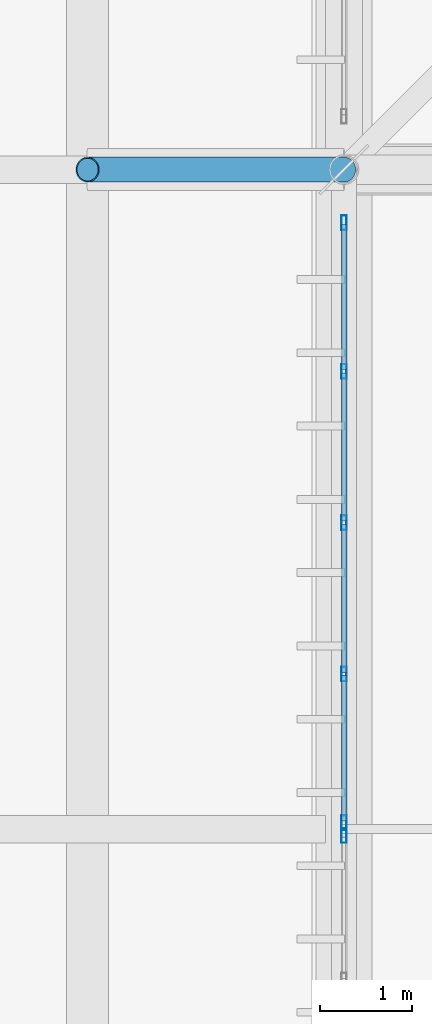
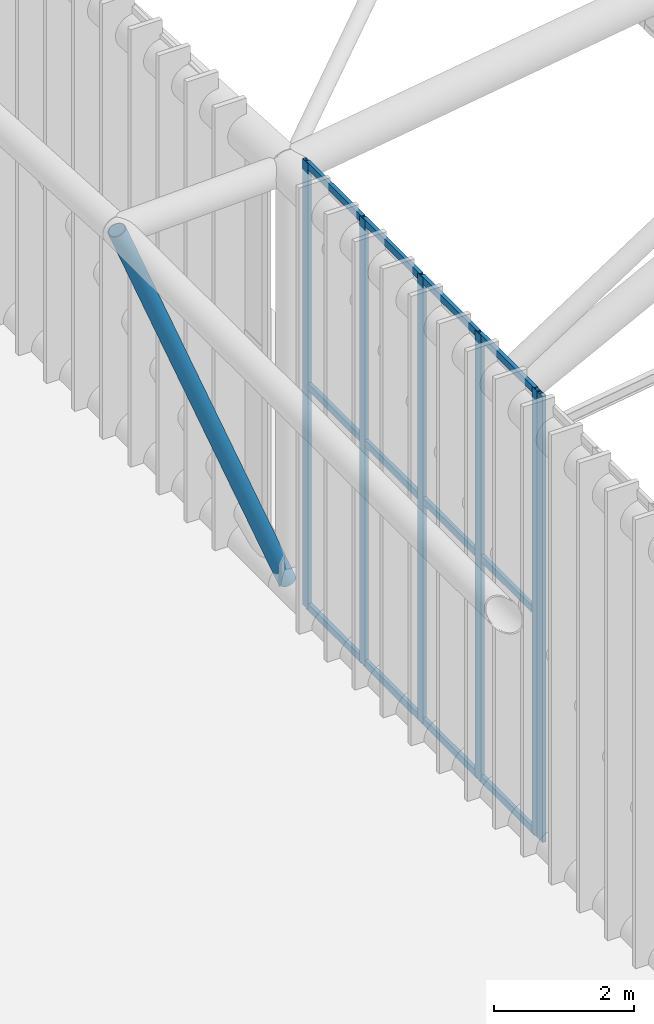
# One storey, part 173 of 397: 19 members, 2 elements without a shape of their own.
"""IFC4 building model written with IfcOpenShell, lengths in metres."""

from ifc_helpers import new_model, si_unit, direction, frame, origin, origin_2d, place, context, subcontext, project, spatial, hollow_rectangle, hollow_circle, extrude, material, material_profile, profile_set, type_object, element, aggregate, save


model = new_model("IFC4")

# Units and contexts
model_context = context("Model", 3, precision=1e-05, world=origin(), true_north=direction((0.0, 1.0)))
body_context = subcontext(model_context, "Body", "Model", "MODEL_VIEW")
ifc_project = project(units=[si_unit("LENGTHUNIT", "METRE"), si_unit("AREAUNIT", "SQUARE_METRE"), si_unit("VOLUMEUNIT", "CUBIC_METRE"), si_unit("PLANEANGLEUNIT", "RADIAN"), si_unit("MASSUNIT", "GRAM", prefix="KILO")], contexts=[model_context])

# Site, building, storey
site_placement = place(None, origin())
site = spatial("IfcSite", under=ifc_project, at=site_placement, CompositionType="ELEMENT")
building_placement = place(site_placement, origin())
building = spatial("IfcBuilding", under=site, at=building_placement, Name="Qandorah Velis Arena", CompositionType="ELEMENT")
storey_placement = place(building_placement, frame((0.0, 0.0, 27.5)))
storey = spatial("IfcBuildingStorey", under=building, at=storey_placement, Name="RF", CompositionType="ELEMENT", Elevation=27.5)

# Curtain wall, member
ifc_material_1 = material(Name="Solar-control low-E double glazing", Category="glass")
curtain_wall_type_1 = type_object("IfcCurtainWallType", Name="ARC-CW-SYS04", PredefinedType="USERDEFINED", material=ifc_material_1)
curtain_wall_1_placement = place(storey_placement, origin())
curtain_wall_1 = element("IfcCurtainWall", 1, at=curtain_wall_1_placement, inside=storey, type_object=curtain_wall_type_1, Name="Unitised curtain wall CROWN-1-04S1", ObjectType="UNITISED CURTAIN WALL", PredefinedType="USERDEFINED")
ifc_material_2 = material(Name="Champagne-bronze anodized aluminium 6063-T6", Category="aluminium")
ifc_material_profile_1 = material_profile(ifc_material_2, hollow_rectangle(XDim=0.06005859375, YDim=0.159912109375, WallThickness=0.00341796875, at=origin_2d()), Name="ALU MULLION 60x160")
ifc_profile_set_1 = profile_set([ifc_material_profile_1], Name="Champagne-bronze anodized aluminium 6063-T6")
member_type_1 = type_object("IfcMemberType", Name="ARC-CWM-160", PredefinedType="MULLION", material=ifc_profile_set_1)
member_1_placement = place(storey_placement, frame((14.39990234375, 64.72998046875, -0.014892578125), z_axis=(0.0, 0.0, 1.0), x_axis=(-1.0, 0.0, 0.0)))
member_1 = element("IfcMember", 2, at=member_1_placement, type_object=member_type_1, Name="CW04 mullion 5", PredefinedType="MULLION", context=body_context, shape_type="SweptSolid", body=[
    extrude(hollow_rectangle(XDim=0.06005859375, YDim=0.159912109375, WallThickness=0.00341796875, at=origin_2d()), origin(), (0.0, 0.0, 1.0), 7.764892578125),
])
aggregate(curtain_wall_1, [member_1])

# Curtain wall, members
curtain_wall_type_2 = type_object("IfcCurtainWallType", Name="ARC-CW-SYS05", PredefinedType="USERDEFINED", material=ifc_material_1)
curtain_wall_2_placement = place(storey_placement, origin())
curtain_wall_2 = element("IfcCurtainWall", 3, at=curtain_wall_2_placement, inside=storey, type_object=curtain_wall_type_2, Name="Unitised curtain wall CROWN-1-04S2", ObjectType="UNITISED CURTAIN WALL", PredefinedType="USERDEFINED")
member_2_placement = place(storey_placement, frame((14.39990234375, 64.8701171875, -0.014892578125), z_axis=(0.0, 0.0, 1.0), x_axis=(-1.0, 0.0, 0.0)))
member_2 = element("IfcMember", 4, at=member_2_placement, type_object=member_type_1, Name="CW05 mullion 1", PredefinedType="MULLION", context=body_context, shape_type="SweptSolid", body=[
    extrude(hollow_rectangle(XDim=0.06005859375, YDim=0.159912109375, WallThickness=0.00341796875, at=origin_2d()), origin(), (0.0, 0.0, 1.0), 7.764892578125),
])
member_3_placement = place(storey_placement, frame((14.39990234375, 66.492431640625, -0.014892578125), z_axis=(0.0, 0.0, 1.0), x_axis=(-1.0, 0.0, 0.0)))
member_3 = element("IfcMember", 5, at=member_3_placement, type_object=member_type_1, Name="CW05 mullion 2", PredefinedType="MULLION", context=body_context, shape_type="SweptSolid", body=[
    extrude(hollow_rectangle(XDim=0.06005859375, YDim=0.159912109375, WallThickness=0.00341796875, at=origin_2d()), origin(), (0.0, 0.0, 1.0), 7.764892578125),
])
member_4_placement = place(storey_placement, frame((14.39990234375, 68.14501953125, -0.014892578125), z_axis=(0.0, 0.0, 1.0), x_axis=(-1.0, 0.0, 0.0)))
member_4 = element("IfcMember", 6, at=member_4_placement, type_object=member_type_1, Name="CW05 mullion 3", PredefinedType="MULLION", context=body_context, shape_type="SweptSolid", body=[
    extrude(hollow_rectangle(XDim=0.06005859375, YDim=0.159912109375, WallThickness=0.00341796875, at=origin_2d()), origin(), (0.0, 0.0, 1.0), 7.764892578125),
])
member_5_placement = place(storey_placement, frame((14.39990234375, 69.797607421875, -0.014892578125), z_axis=(0.0, 0.0, 1.0), x_axis=(-1.0, 0.0, 0.0)))
member_5 = element("IfcMember", 7, at=member_5_placement, type_object=member_type_1, Name="CW05 mullion 4", PredefinedType="MULLION", context=body_context, shape_type="SweptSolid", body=[
    extrude(hollow_rectangle(XDim=0.06005859375, YDim=0.159912109375, WallThickness=0.00341796875, at=origin_2d()), origin(), (0.0, 0.0, 1.0), 7.764892578125),
])
member_6_placement = place(storey_placement, frame((14.39990234375, 71.419921875, -0.014892578125), z_axis=(0.0, 0.0, 1.0), x_axis=(-1.0, 0.0, 0.0)))
member_6 = element("IfcMember", 8, at=member_6_placement, type_object=member_type_1, Name="CW05 mullion 5", PredefinedType="MULLION", context=body_context, shape_type="SweptSolid", body=[
    extrude(hollow_rectangle(XDim=0.06005859375, YDim=0.159912109375, WallThickness=0.00341796875, at=origin_2d()), origin(), (0.0, 0.0, 1.0), 7.764892578125),
])
ifc_material_profile_2 = material_profile(ifc_material_2, hollow_rectangle(XDim=0.06005859375, YDim=0.1201171875, WallThickness=0.0029296875, at=origin_2d()), Name="ALU TRANSOM 60x120")
ifc_profile_set_2 = profile_set([ifc_material_profile_2], Name="Champagne-bronze anodized aluminium 6063-T6")
member_type_2 = type_object("IfcMemberType", Name="ARC-CWT-120", PredefinedType="USERDEFINED", material=ifc_profile_set_2)
member_7_placement = place(storey_placement, frame((14.39990234375, 64.887939453125, 0.030029296875), z_axis=(0.0, 1.0, 0.0), x_axis=(-1.0, 0.0, 0.0)))
member_7 = element("IfcMember", 9, at=member_7_placement, type_object=member_type_2, Name="CW05 transom 1.1", ObjectType="TRANSOM", PredefinedType="USERDEFINED", context=body_context, shape_type="SweptSolid", body=[
    extrude(hollow_rectangle(XDim=0.06005859375, YDim=0.1201171875, WallThickness=0.0029296875, at=origin_2d()), origin(), (0.0, 0.0, 1.0), 1.586669921875),
])
member_8_placement = place(storey_placement, frame((14.39990234375, 64.887939453125, 3.86767578125), z_axis=(0.0, 1.0, 0.0), x_axis=(-1.0, 0.0, 0.0)))
member_8 = element("IfcMember", 10, at=member_8_placement, type_object=member_type_2, Name="CW05 transom 1.2", ObjectType="TRANSOM", PredefinedType="USERDEFINED", context=body_context, shape_type="SweptSolid", body=[
    extrude(hollow_rectangle(XDim=0.06005859375, YDim=0.1201171875, WallThickness=0.0029296875, at=origin_2d()), origin(), (0.0, 0.0, 1.0), 1.586669921875),
])
member_9_placement = place(storey_placement, frame((14.39990234375, 64.887939453125, 7.705078125), z_axis=(0.0, 1.0, 0.0), x_axis=(-1.0, 0.0, 0.0)))
member_9 = element("IfcMember", 11, at=member_9_placement, type_object=member_type_2, Name="CW05 transom 1.3", ObjectType="TRANSOM", PredefinedType="USERDEFINED", context=body_context, shape_type="SweptSolid", body=[
    extrude(hollow_rectangle(XDim=0.06005859375, YDim=0.1201171875, WallThickness=0.0029296875, at=origin_2d()), origin(), (0.0, 0.0, 1.0), 1.586669921875),
])
member_10_placement = place(storey_placement, frame((14.39990234375, 66.510498046875, 0.030029296875), z_axis=(0.0, 1.0, 0.0), x_axis=(-1.0, 0.0, 0.0)))
member_10 = element("IfcMember", 12, at=member_10_placement, type_object=member_type_2, Name="CW05 transom 2.1", ObjectType="TRANSOM", PredefinedType="USERDEFINED", context=body_context, shape_type="SweptSolid", body=[
    extrude(hollow_rectangle(XDim=0.06005859375, YDim=0.1201171875, WallThickness=0.0029296875, at=origin_2d()), origin(), (0.0, 0.0, 1.0), 1.616455078125),
])
member_11_placement = place(storey_placement, frame((14.39990234375, 66.510498046875, 3.86767578125), z_axis=(0.0, 1.0, 0.0), x_axis=(-1.0, 0.0, 0.0)))
member_11 = element("IfcMember", 13, at=member_11_placement, type_object=member_type_2, Name="CW05 transom 2.2", ObjectType="TRANSOM", PredefinedType="USERDEFINED", context=body_context, shape_type="SweptSolid", body=[
    extrude(hollow_rectangle(XDim=0.06005859375, YDim=0.1201171875, WallThickness=0.0029296875, at=origin_2d()), origin(), (0.0, 0.0, 1.0), 1.616455078125),
])
member_12_placement = place(storey_placement, frame((14.39990234375, 66.510498046875, 7.705078125), z_axis=(0.0, 1.0, 0.0), x_axis=(-1.0, 0.0, 0.0)))
member_12 = element("IfcMember", 14, at=member_12_placement, type_object=member_type_2, Name="CW05 transom 2.3", ObjectType="TRANSOM", PredefinedType="USERDEFINED", context=body_context, shape_type="SweptSolid", body=[
    extrude(hollow_rectangle(XDim=0.06005859375, YDim=0.1201171875, WallThickness=0.0029296875, at=origin_2d()), origin(), (0.0, 0.0, 1.0), 1.616455078125),
])
member_13_placement = place(storey_placement, frame((14.39990234375, 68.1630859375, 0.030029296875), z_axis=(0.0, 1.0, 0.0), x_axis=(-1.0, 0.0, 0.0)))
member_13 = element("IfcMember", 15, at=member_13_placement, type_object=member_type_2, Name="CW05 transom 3.1", ObjectType="TRANSOM", PredefinedType="USERDEFINED", context=body_context, shape_type="SweptSolid", body=[
    extrude(hollow_rectangle(XDim=0.06005859375, YDim=0.1201171875, WallThickness=0.0029296875, at=origin_2d()), origin(), (0.0, 0.0, 1.0), 1.616455078125),
])
member_14_placement = place(storey_placement, frame((14.39990234375, 68.1630859375, 3.86767578125), z_axis=(0.0, 1.0, 0.0), x_axis=(-1.0, 0.0, 0.0)))
member_14 = element("IfcMember", 16, at=member_14_placement, type_object=member_type_2, Name="CW05 transom 3.2", ObjectType="TRANSOM", PredefinedType="USERDEFINED", context=body_context, shape_type="SweptSolid", body=[
    extrude(hollow_rectangle(XDim=0.06005859375, YDim=0.1201171875, WallThickness=0.0029296875, at=origin_2d()), origin(), (0.0, 0.0, 1.0), 1.616455078125),
])
member_15_placement = place(storey_placement, frame((14.39990234375, 68.1630859375, 7.705078125), z_axis=(0.0, 1.0, 0.0), x_axis=(-1.0, 0.0, 0.0)))
member_15 = element("IfcMember", 17, at=member_15_placement, type_object=member_type_2, Name="CW05 transom 3.3", ObjectType="TRANSOM", PredefinedType="USERDEFINED", context=body_context, shape_type="SweptSolid", body=[
    extrude(hollow_rectangle(XDim=0.06005859375, YDim=0.1201171875, WallThickness=0.0029296875, at=origin_2d()), origin(), (0.0, 0.0, 1.0), 1.616455078125),
])
member_16_placement = place(storey_placement, frame((14.39990234375, 69.8154296875, 0.030029296875), z_axis=(0.0, 1.0, 0.0), x_axis=(-1.0, 0.0, 0.0)))
member_16 = element("IfcMember", 18, at=member_16_placement, type_object=member_type_2, Name="CW05 transom 4.1", ObjectType="TRANSOM", PredefinedType="USERDEFINED", context=body_context, shape_type="SweptSolid", body=[
    extrude(hollow_rectangle(XDim=0.06005859375, YDim=0.1201171875, WallThickness=0.0029296875, at=origin_2d()), origin(), (0.0, 0.0, 1.0), 1.586669921875),
])
member_17_placement = place(storey_placement, frame((14.39990234375, 69.8154296875, 3.86767578125), z_axis=(0.0, 1.0, 0.0), x_axis=(-1.0, 0.0, 0.0)))
member_17 = element("IfcMember", 19, at=member_17_placement, type_object=member_type_2, Name="CW05 transom 4.2", ObjectType="TRANSOM", PredefinedType="USERDEFINED", context=body_context, shape_type="SweptSolid", body=[
    extrude(hollow_rectangle(XDim=0.06005859375, YDim=0.1201171875, WallThickness=0.0029296875, at=origin_2d()), origin(), (0.0, 0.0, 1.0), 1.586669921875),
])
member_18_placement = place(storey_placement, frame((14.39990234375, 69.8154296875, 7.705078125), z_axis=(0.0, 1.0, 0.0), x_axis=(-1.0, 0.0, 0.0)))
member_18 = element("IfcMember", 20, at=member_18_placement, type_object=member_type_2, Name="CW05 transom 4.3", ObjectType="TRANSOM", PredefinedType="USERDEFINED", context=body_context, shape_type="SweptSolid", body=[
    extrude(hollow_rectangle(XDim=0.06005859375, YDim=0.1201171875, WallThickness=0.0029296875, at=origin_2d()), origin(), (0.0, 0.0, 1.0), 1.586669921875),
])
aggregate(curtain_wall_2, [member_2, member_3, member_4, member_5, member_6, member_7, member_8, member_9, member_10, member_11, member_12, member_13, member_14, member_15, member_16, member_17, member_18])

# Member
ifc_material_3 = material(Name="Steel S355", Category="steel")
ifc_material_profile_3 = material_profile(ifc_material_3, hollow_circle(Radius=0.136474609375, WallThickness=0.012451171875, at=origin_2d()), Name="CHS 273x12.5")
ifc_profile_set_3 = profile_set([ifc_material_profile_3], Name="Steel S355")
member_type_3 = type_object("IfcMemberType", Name="STR-SFD-CHS273X12", PredefinedType="STRUT", material=ifc_profile_set_3)
member_19_placement = place(storey_placement, frame((14.39990234375, 72.0, 0.10009765625), z_axis=(-0.36816698532, 0.0, 0.9297596845), x_axis=(0.0, -1.0, 0.0)))
element("IfcMember", 21, at=member_19_placement, inside=storey, type_object=member_type_3, Name="Space frame eave raking strut W-4", PredefinedType="STRUT", context=body_context, shape_type="SweptSolid", body=[
    extrude(hollow_circle(Radius=0.136474609375, WallThickness=0.012451171875, at=origin_2d()), origin(), (0.0, 0.0, 1.0), 7.604736328125),
])

save(model, "model.ifc")
